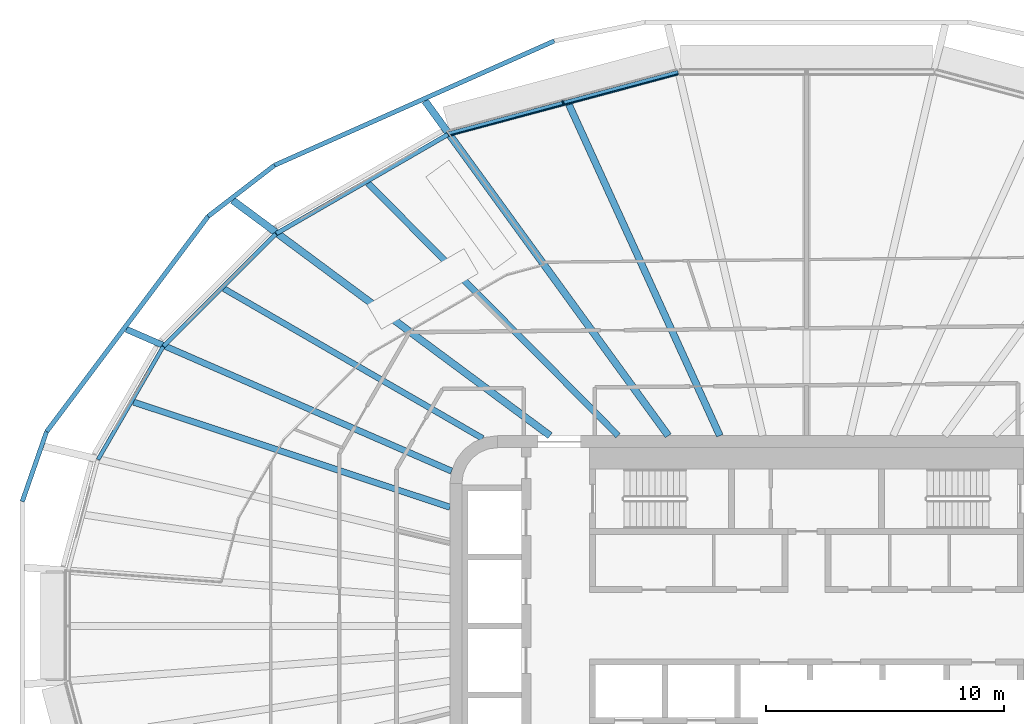
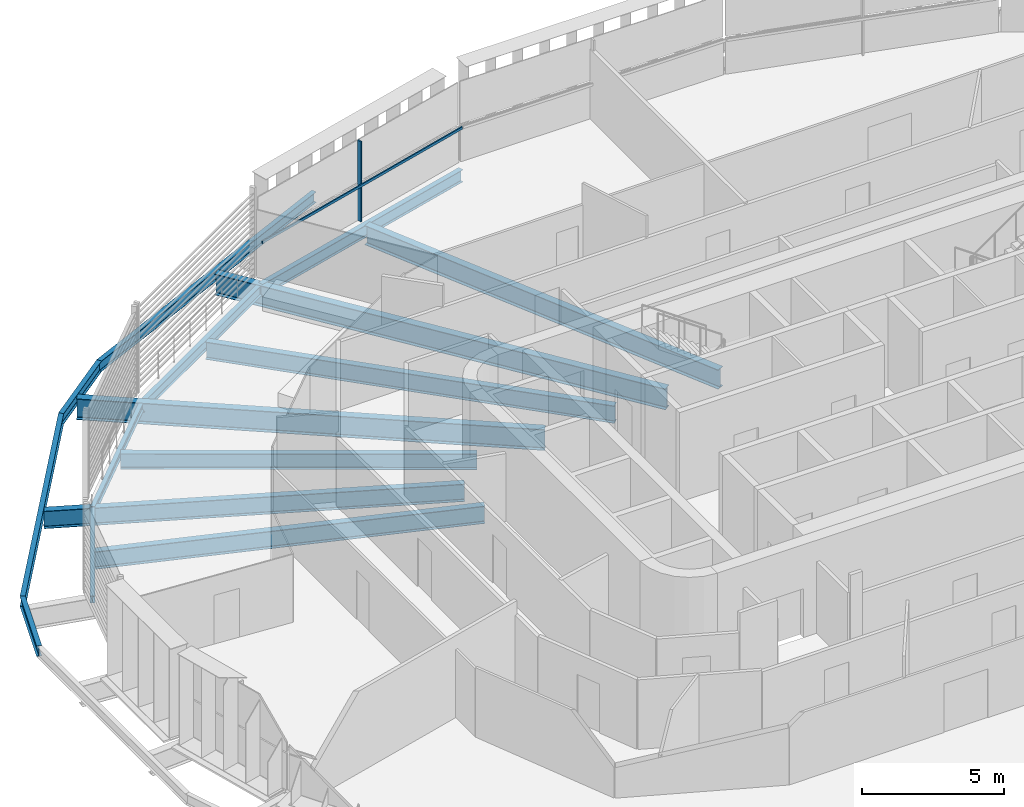
# One storey, part 5 of 23: 15 beams, 2 members, 1 element without a shape of its own.
"""IFC4 building model written with IfcOpenShell, lengths in metres."""

from ifc_helpers import new_model, si_unit, direction, frame, origin, origin_2d, place, context, subcontext, project, spatial, rectangle, i_section, extrude, material, layer, layer_set, material_profile, profile_set, type_object, element, aggregate, save


model = new_model("IFC4")

# Units and contexts
model_context = context("Model", 3, precision=1e-05, world=origin(), true_north=direction((0.0, 1.0)))
body_context = subcontext(model_context, "Body", "Model", "MODEL_VIEW")
ifc_project = project(units=[si_unit("LENGTHUNIT", "METRE"), si_unit("AREAUNIT", "SQUARE_METRE"), si_unit("VOLUMEUNIT", "CUBIC_METRE"), si_unit("PLANEANGLEUNIT", "RADIAN"), si_unit("MASSUNIT", "GRAM", prefix="KILO")], contexts=[model_context])

# Site, building, storey
site_placement = place(None, origin())
site = spatial("IfcSite", under=ifc_project, at=site_placement, CompositionType="ELEMENT")
building_placement = place(site_placement, origin())
building = spatial("IfcBuilding", under=site, at=building_placement, Name="Sahrelin Media Tower", CompositionType="ELEMENT")
storey_placement = place(building_placement, frame((0.0, 0.0, 169.60009765625)))
storey = spatial("IfcBuildingStorey", under=building, at=storey_placement, Name="L35", CompositionType="ELEMENT", Elevation=169.60009765625)

# Beams
ifc_material_1 = material(Name="Steel S355", Category="steel")
ifc_material_profile_1 = material_profile(ifc_material_1, i_section(OverallWidth=0.1650390625, OverallDepth=0.303466796875, WebThickness=0.006103515625, FlangeThickness=0.01025390625, FilletRadius=0.0087890625, at=origin_2d()), Name="UB 305x165x40")
ifc_profile_set_1 = profile_set([ifc_material_profile_1], Name="Steel S355")
beam_type_1 = type_object("IfcBeamType", Name="Edge beam EB2", PredefinedType="BEAM", material=ifc_profile_set_1)
beam_1_placement = place(storey_placement, frame((-29.806884765625, 6.99951171875, -0.351806640625), z_axis=(0.500008994894, 0.866020210518, 0.0), x_axis=(-0.866020210518, 0.500008994894, 0.0)))
element("IfcBeam", 1, at=beam_1_placement, inside=storey, type_object=beam_type_1, Name="Edge beam L35-15", PredefinedType="BEAM", context=body_context, shape_type="SweptSolid", body=[
    extrude(i_section(OverallWidth=0.1650390625, OverallDepth=0.303466796875, WebThickness=0.006103515625, FlangeThickness=0.01025390625, FilletRadius=0.0087890625, at=origin_2d()), origin(), (0.0, 0.0, 1.0), 5.482421875),
])
ifc_material_profile_2 = material_profile(ifc_material_1, i_section(OverallWidth=0.17138671875, OverallDepth=0.35498046875, WebThickness=0.00732421875, FlangeThickness=0.011474609375, FilletRadius=0.01025390625, at=origin_2d()), Name="UB 356x171x51")
ifc_profile_set_2 = profile_set([ifc_material_profile_2], Name="Steel S355")
beam_type_2 = type_object("IfcBeamType", Name="Edge beam EB3", PredefinedType="BEAM", material=ifc_profile_set_2)
beam_2_placement = place(storey_placement, frame((-27.048095703125, 11.77001953125, -0.377685546875), z_axis=(0.707106781187, 0.707106781187, 0.0), x_axis=(-0.707106781187, 0.707106781187, 0.0)))
element("IfcBeam", 2, at=beam_2_placement, inside=storey, type_object=beam_type_2, Name="Edge beam L35-16", PredefinedType="BEAM", context=body_context, shape_type="SweptSolid", body=[
    extrude(i_section(OverallWidth=0.17138671875, OverallDepth=0.35498046875, WebThickness=0.00732421875, FlangeThickness=0.011474609375, FilletRadius=0.01025390625, at=origin_2d()), origin(), (0.0, 0.0, 1.0), 6.675048828125),
])
ifc_material_profile_3 = material_profile(ifc_material_1, i_section(OverallWidth=0.1904296875, OverallDepth=0.45703125, WebThickness=0.009033203125, FlangeThickness=0.014404296875, FilletRadius=0.01025390625, at=origin_2d()), Name="UB 457x191x74")
ifc_profile_set_3 = profile_set([ifc_material_profile_3], Name="Steel S355")
beam_type_3 = type_object("IfcBeamType", Name="Edge beam EB5", PredefinedType="BEAM", material=ifc_profile_set_3)
beam_3_placement = place(storey_placement, frame((-22.305419921875, 16.507568359375, -0.4287109375), z_axis=(0.866026580217, 0.499997962354, 0.0), x_axis=(-0.499997962354, 0.866026580217, 0.0)))
element("IfcBeam", 3, at=beam_3_placement, inside=storey, type_object=beam_type_3, Name="Edge beam L35-17", PredefinedType="BEAM", context=body_context, shape_type="SweptSolid", body=[
    extrude(i_section(OverallWidth=0.1904296875, OverallDepth=0.45703125, WebThickness=0.009033203125, FlangeThickness=0.014404296875, FilletRadius=0.01025390625, at=origin_2d()), origin(), (0.0, 0.0, 1.0), 8.33544921875),
])
ifc_material_profile_4 = material_profile(ifc_material_1, i_section(OverallWidth=0.208740234375, OverallDepth=0.5283203125, WebThickness=0.009521484375, FlangeThickness=0.01318359375, FilletRadius=0.0126953125, at=origin_2d()), Name="UB 533x210x82")
ifc_profile_set_4 = profile_set([ifc_material_profile_4], Name="Steel S355")
beam_type_4 = type_object("IfcBeamType", Name="Edge beam EB6", PredefinedType="BEAM", material=ifc_profile_set_4)
beam_4_placement = place(storey_placement, frame((-15.06005859375, 20.686279296875, -0.464111328125), z_axis=(0.965928765313, 0.258808076268, 0.0), x_axis=(-0.258808076268, 0.965928765313, 0.0)))
element("IfcBeam", 4, at=beam_4_placement, inside=storey, type_object=beam_type_4, Name="Edge beam L35-18", PredefinedType="BEAM", context=body_context, shape_type="SweptSolid", body=[
    extrude(i_section(OverallWidth=0.208740234375, OverallDepth=0.5283203125, WebThickness=0.009521484375, FlangeThickness=0.01318359375, FilletRadius=0.0126953125, at=origin_2d()), origin(), (0.0, 0.0, 1.0), 10.001220703125),
])

# Curtain wall, member
ifc_material_2 = material(Name="Champagne anodised aluminium 6063-T6", Category="aluminium")
ifc_layer = layer(ifc_material_2, 0.14990234375)
ifc_layer_set = layer_set([ifc_layer], Name="Tower ribbon curtain wall")
curtain_wall_type = type_object("IfcCurtainWallType", Name="Tower ribbon curtain wall", PredefinedType="NOTDEFINED", material=ifc_layer_set)
curtain_wall_placement = place(storey_placement, frame((-10.268798828125, 22.12548828125, 0.0), z_axis=(0.0, 0.0, 1.0), x_axis=(1.0, 0.0, 0.0)))
curtain_wall = element("IfcCurtainWall", 5, at=curtain_wall_placement, inside=storey, type_object=curtain_wall_type, Name="L35:CW:L35-07", PredefinedType="NOTDEFINED")
ifc_material_profile_5 = material_profile(ifc_material_2, rectangle(XDim=0.06005859375, YDim=0.175048828125, at=origin_2d()), Name="Mullion 60x175")
ifc_profile_set_5 = profile_set([ifc_material_profile_5], Name="Champagne anodised aluminium 6063-T6")
member_type_1 = type_object("IfcMemberType", Name="Mullion 60x175 CW1B", PredefinedType="MULLION", material=ifc_profile_set_5)
member_1_placement = place(storey_placement, frame((-10.240966796875, 22.021484375, 0.0), z_axis=(0.0, 0.0, 1.0), x_axis=(-0.965924019368, -0.258825788531, 0.0)))
member_1 = element("IfcMember", 6, at=member_1_placement, type_object=member_type_1, Name="L35:CWM:L35-07", PredefinedType="MULLION", context=body_context, shape_type="SweptSolid", body=[
    extrude(rectangle(XDim=0.06005859375, YDim=0.175048828125, at=origin_2d()), origin(), (0.0, 0.0, 1.0), 3.448486328125),
])

# Beams
ifc_material_profile_6 = material_profile(ifc_material_1, i_section(OverallWidth=0.30322265625, OverallDepth=0.903076171875, WebThickness=0.01513671875, FlangeThickness=0.020263671875, FilletRadius=0.01904296875, at=origin_2d()), Name="UB 914x305x201")
ifc_profile_set_6 = profile_set([ifc_material_profile_6], Name="Steel S355")
beam_type_5 = type_object("IfcBeamType", Name="Radial primary beam PB11", PredefinedType="BEAM", material=ifc_profile_set_6)
beam_5_placement = place(storey_placement, frame((-5.813720703125, 8.0, -0.651611328125), z_axis=(-0.587891589899, 0.808939724903, 0.0), x_axis=(-0.808939724903, -0.587891589899, 0.0)))
element("IfcBeam", 7, at=beam_5_placement, inside=storey, type_object=beam_type_5, Name="Radial beam L35-08", PredefinedType="BEAM", context=body_context, shape_type="SweptSolid", body=[
    extrude(i_section(OverallWidth=0.30322265625, OverallDepth=0.903076171875, WebThickness=0.01513671875, FlangeThickness=0.020263671875, FilletRadius=0.01904296875, at=origin_2d()), origin(), (0.0, 0.0, 1.0), 17.415283203125),
])
beam_6_placement = place(storey_placement, frame((-10.786865234375, 8.0, -0.651611328125), z_axis=(-0.803209298221, 0.595696922311, 0.0), x_axis=(-0.595696922311, -0.803209298221, 0.0)))
element("IfcBeam", 8, at=beam_6_placement, inside=storey, type_object=beam_type_5, Name="Radial beam L35-09", PredefinedType="BEAM", context=body_context, shape_type="SweptSolid", body=[
    extrude(i_section(OverallWidth=0.30322265625, OverallDepth=0.903076171875, WebThickness=0.01513671875, FlangeThickness=0.020263671875, FilletRadius=0.01904296875, at=origin_2d()), origin(), (0.0, 0.0, 1.0), 16.627685546875),
])
ifc_material_profile_7 = material_profile(ifc_material_1, i_section(OverallWidth=0.26513671875, OverallDepth=0.75390625, WebThickness=0.0126953125, FlangeThickness=0.017578125, FilletRadius=0.0166015625, at=origin_2d()), Name="UB 762x267x147")
ifc_profile_set_7 = profile_set([ifc_material_profile_7], Name="Steel S355")
beam_type_6 = type_object("IfcBeamType", Name="Radial primary beam PB9", PredefinedType="BEAM", material=ifc_profile_set_7)
beam_7_placement = place(storey_placement, frame((-14.9326171875, 6.51171875, -0.5771484375), z_axis=(-0.916635140425, 0.399724929594, 0.0), x_axis=(-0.399724929594, -0.916635140425, 0.0)))
element("IfcBeam", 9, at=beam_7_placement, inside=storey, type_object=beam_type_6, Name="Radial beam L35-10", PredefinedType="BEAM", context=body_context, shape_type="SweptSolid", body=[
    extrude(i_section(OverallWidth=0.26513671875, OverallDepth=0.75390625, WebThickness=0.0126953125, FlangeThickness=0.017578125, FilletRadius=0.0166015625, at=origin_2d()), origin(), (0.0, 0.0, 1.0), 14.931640625),
])
ifc_material_profile_8 = material_profile(ifc_material_1, i_section(OverallWidth=0.291748046875, OverallDepth=0.8349609375, WebThickness=0.013916015625, FlangeThickness=0.018798828125, FilletRadius=0.017822265625, at=origin_2d()), Name="UB 838x292x176")
ifc_profile_set_8 = profile_set([ifc_material_profile_8], Name="Steel S355")
beam_type_7 = type_object("IfcBeamType", Name="Radial secondary beam SB10", PredefinedType="BEAM", material=ifc_profile_set_8)
beam_8_placement = place(storey_placement, frame((-3.645751953125, 8.0, -0.567626953125), z_axis=(-0.414680791378, 0.909966945148, 0.0), x_axis=(-0.909966945148, -0.414680791378, 0.0)))
element("IfcBeam", 10, at=beam_8_placement, inside=storey, type_object=beam_type_7, Name="Secondary beam L35-07", PredefinedType="BEAM", context=body_context, shape_type="SweptSolid", body=[
    extrude(i_section(OverallWidth=0.291748046875, OverallDepth=0.8349609375, WebThickness=0.013916015625, FlangeThickness=0.018798828125, FilletRadius=0.017822265625, at=origin_2d()), origin(), (0.0, 0.0, 1.0), 15.313720703125),
])
ifc_material_profile_9 = material_profile(ifc_material_1, i_section(OverallWidth=0.2529296875, OverallDepth=0.677978515625, WebThickness=0.01171875, FlangeThickness=0.01611328125, FilletRadius=0.01513671875, at=origin_2d()), Name="UB 686x254x125")
ifc_profile_set_9 = profile_set([ifc_material_profile_9], Name="Steel S355")
beam_type_8 = type_object("IfcBeamType", Name="Radial secondary beam SB8", PredefinedType="BEAM", material=ifc_profile_set_9)
beam_9_placement = place(storey_placement, frame((-13.62646484375, 7.88671875, -0.5390625), z_axis=(-0.865485648512, 0.500933720386, 0.0), x_axis=(-0.500933720386, -0.865485648512, 0.0)))
element("IfcBeam", 11, at=beam_9_placement, inside=storey, type_object=beam_type_8, Name="Secondary beam L35-09", PredefinedType="BEAM", context=body_context, shape_type="SweptSolid", body=[
    extrude(i_section(OverallWidth=0.2529296875, OverallDepth=0.677978515625, WebThickness=0.01171875, FlangeThickness=0.01611328125, FilletRadius=0.01513671875, at=origin_2d()), origin(), (0.0, 0.0, 1.0), 12.57568359375),
])
ifc_material_profile_10 = material_profile(ifc_material_1, i_section(OverallWidth=0.26513671875, OverallDepth=0.75390625, WebThickness=0.0126953125, FlangeThickness=0.017578125, FilletRadius=0.0166015625, at=origin_2d()), Name="UB 762x267x147")
ifc_profile_set_10 = profile_set([ifc_material_profile_10], Name="Steel S355")
beam_type_9 = type_object("IfcBeamType", Name="Radial secondary beam SB9", PredefinedType="BEAM", material=ifc_profile_set_10)
beam_10_placement = place(storey_placement, frame((-7.9228515625, 8.0, -0.5771484375), z_axis=(-0.703670153618, 0.710526786904, 0.0), x_axis=(-0.710526786904, -0.703670153618, 0.0)))
element("IfcBeam", 12, at=beam_10_placement, inside=storey, type_object=beam_type_9, Name="Secondary beam L35-08", PredefinedType="BEAM", context=body_context, shape_type="SweptSolid", body=[
    extrude(i_section(OverallWidth=0.26513671875, OverallDepth=0.75390625, WebThickness=0.0126953125, FlangeThickness=0.017578125, FilletRadius=0.0166015625, at=origin_2d()), origin(), (0.0, 0.0, 1.0), 14.954833984375),
])
beam_11_placement = place(storey_placement, frame((-15.0, 4.9892578125, -0.5771484375), z_axis=(-0.948890135418, 0.315606576147, 0.0), x_axis=(-0.315606576147, -0.948890135418, 0.0)))
element("IfcBeam", 13, at=beam_11_placement, inside=storey, type_object=beam_type_9, Name="Secondary beam L35-10", PredefinedType="BEAM", context=body_context, shape_type="SweptSolid", body=[
    extrude(i_section(OverallWidth=0.26513671875, OverallDepth=0.75390625, WebThickness=0.0126953125, FlangeThickness=0.017578125, FilletRadius=0.0166015625, at=origin_2d()), origin(), (0.0, 0.0, 1.0), 14.032470703125),
])
ifc_material_profile_11 = material_profile(ifc_material_1, i_section(OverallWidth=0.1904296875, OverallDepth=0.45703125, WebThickness=0.009033203125, FlangeThickness=0.014404296875, FilletRadius=0.01025390625, at=origin_2d()), Name="UB 457x191x74")
ifc_profile_set_11 = profile_set([ifc_material_profile_11], Name="Steel S355")
beam_type_10 = type_object("IfcBeamType", Name="Tie chord TC5", PredefinedType="BEAM", material=ifc_profile_set_11)
beam_12_placement = place(storey_placement, frame((-10.610107421875, 24.6103515625, -0.378662109375), z_axis=(-0.913832643014, -0.406091000347, 0.0), x_axis=(0.406091000347, -0.913832643014, 0.0)))
element("IfcBeam", 14, at=beam_12_placement, inside=storey, type_object=beam_type_10, Name="Tie chord L35-08", PredefinedType="BEAM", context=body_context, shape_type="SweptSolid", body=[
    extrude(i_section(OverallWidth=0.1904296875, OverallDepth=0.45703125, WebThickness=0.009033203125, FlangeThickness=0.014404296875, FilletRadius=0.01025390625, at=origin_2d()), origin(), (0.0, 0.0, 1.0), 12.885498046875),
])
beam_13_placement = place(storey_placement, frame((-22.38525390625, 19.377685546875, -0.378662109375), z_axis=(-0.792466741096, -0.609915128733, 0.0), x_axis=(0.609915128733, -0.792466741096, 0.0)))
element("IfcBeam", 15, at=beam_13_placement, inside=storey, type_object=beam_type_10, Name="Tie chord L35-09", PredefinedType="BEAM", context=body_context, shape_type="SweptSolid", body=[
    extrude(i_section(OverallWidth=0.1904296875, OverallDepth=0.45703125, WebThickness=0.009033203125, FlangeThickness=0.014404296875, FilletRadius=0.01025390625, at=origin_2d()), origin(), (0.0, 0.0, 1.0), 3.521240234375),
])
beam_14_placement = place(storey_placement, frame((-25.17578125, 17.22998046875, -0.378662109375), z_axis=(-0.600051716196, -0.799961210241, 0.0), x_axis=(0.799961210241, -0.600051716196, 0.0)))
element("IfcBeam", 16, at=beam_14_placement, inside=storey, type_object=beam_type_10, Name="Tie chord L35-10", PredefinedType="BEAM", context=body_context, shape_type="SweptSolid", body=[
    extrude(i_section(OverallWidth=0.1904296875, OverallDepth=0.45703125, WebThickness=0.009033203125, FlangeThickness=0.014404296875, FilletRadius=0.01025390625, at=origin_2d()), origin(), (0.0, 0.0, 1.0), 11.32958984375),
])
beam_15_placement = place(storey_placement, frame((-31.97412109375, 8.166748046875, -0.378662109375), z_axis=(-0.328788825537, -0.944403466852, 0.0), x_axis=(0.944403466852, -0.328788825537, 0.0)))
element("IfcBeam", 17, at=beam_15_placement, inside=storey, type_object=beam_type_10, Name="Tie chord L35-11", PredefinedType="BEAM", context=body_context, shape_type="SweptSolid", body=[
    extrude(i_section(OverallWidth=0.1904296875, OverallDepth=0.45703125, WebThickness=0.009033203125, FlangeThickness=0.014404296875, FilletRadius=0.01025390625, at=origin_2d()), origin(), (0.0, 0.0, 1.0), 3.106689453125),
])

# Member
ifc_material_profile_12 = material_profile(ifc_material_2, rectangle(XDim=0.050048828125, YDim=0.110107421875, at=origin_2d()), Name="Transom 50x110")
ifc_profile_set_12 = profile_set([ifc_material_profile_12], Name="Champagne anodised aluminium 6063-T6")
member_type_2 = type_object("IfcMemberType", Name="Transom 50x110 CW1B", PredefinedType="USERDEFINED", material=ifc_profile_set_12)
member_2_placement = place(storey_placement, frame((-5.396728515625, 23.203125, 1.599853515625), z_axis=(-0.965921270769, -0.258836045938, 0.0), x_axis=(0.258836045938, -0.965921270769, 0.0)))
member_2 = element("IfcMember", 18, at=member_2_placement, type_object=member_type_2, Name="L35:CWT:L35-07", ObjectType="TRANSOM", PredefinedType="USERDEFINED", context=body_context, shape_type="SweptSolid", body=[
    extrude(rectangle(XDim=0.050048828125, YDim=0.110107421875, at=origin_2d()), origin(), (0.0, 0.0, 1.0), 9.969970703125),
])

aggregate(curtain_wall, [member_1, member_2])

save(model, "model.ifc")
